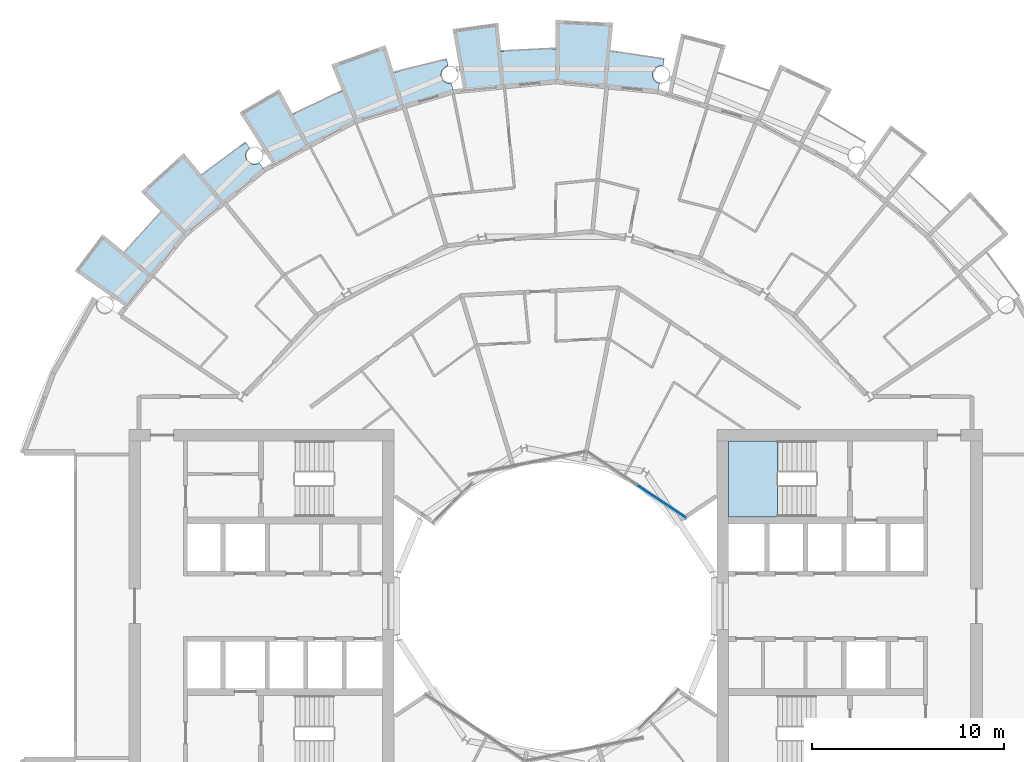
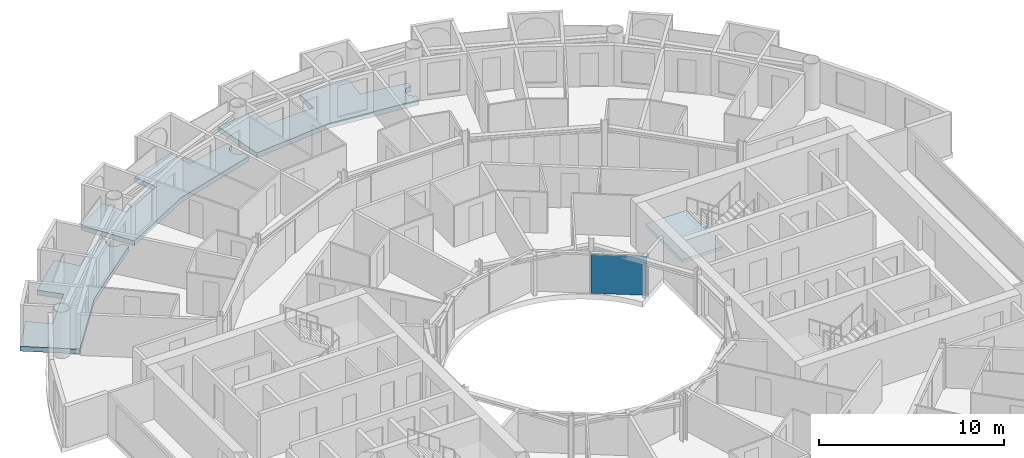
# One storey, part 12 of 26: 4 slabs, 1 plate, 2 elements without a shape of their own.
"""IFC4 building model written with IfcOpenShell, lengths in metres."""

from ifc_helpers import new_model, si_unit, direction, frame, origin, origin_2d, place, context, subcontext, project, spatial, polyline, rectangle, outline, extrude, material, layer, layer_set, type_object, element, aggregate, save


model = new_model("IFC4")

# Units and contexts
model_context = context("Model", 3, precision=1e-05, world=origin(), true_north=direction((0.0, 1.0)))
body_context = subcontext(model_context, "Body", "Model", "MODEL_VIEW")
ifc_project = project(units=[si_unit("LENGTHUNIT", "METRE"), si_unit("AREAUNIT", "SQUARE_METRE"), si_unit("VOLUMEUNIT", "CUBIC_METRE"), si_unit("PLANEANGLEUNIT", "RADIAN"), si_unit("MASSUNIT", "GRAM", prefix="KILO")], contexts=[model_context])

# Site, building, storey
site_placement = place(None, origin())
site = spatial("IfcSite", under=ifc_project, at=site_placement, CompositionType="ELEMENT")
building_placement = place(site_placement, origin())
building = spatial("IfcBuilding", under=site, at=building_placement, Name="Maasbend Ring Residences", CompositionType="ELEMENT")
storey_placement = place(building_placement, frame((0.0, 0.0, 123.85009765625)))
storey = spatial("IfcBuildingStorey", under=building, at=storey_placement, Name="L35", CompositionType="ELEMENT", Elevation=123.85009765625)

# Stair, slab
ifc_material_1 = material(Name="Concrete C40/50", Category="concrete")
stair_type = type_object("IfcStairType", Name="CORE STAIR 18 RISERS", PredefinedType="HALF_TURN_STAIR", material=ifc_material_1)
stair_placement = place(storey_placement, origin())
stair = element("IfcStair", 1, at=stair_placement, inside=storey, type_object=stair_type, Name="L35 Exit stair ST-E1", PredefinedType="HALF_TURN_STAIR")
ifc_material_2 = material(Name="Concrete C40/50", Category="concrete")
ifc_layer_1 = layer(ifc_material_2, 0.199951171875)
ifc_layer_set_1 = layer_set([ifc_layer_1], Name="Concrete C40/50")
slab_type_1 = type_object("IfcSlabType", Name="CORE STAIR LANDING 200", PredefinedType="LANDING", material=ifc_layer_set_1)
slab_1_placement = place(storey_placement, frame((0.0, 0.0, 1.324951171875)))
slab_1 = element("IfcSlab", 2, at=slab_1_placement, type_object=slab_type_1, Name="ST-E1 landing 1", PredefinedType="LANDING", context=body_context, shape_type="SweptSolid", body=[
    extrude(outline(polyline([(11.550048828125, 8.60009765625), (9.0, 8.60009765625), (9.0, 4.64990234375), (11.550048828125, 4.64990234375), (11.550048828125, 8.60009765625)])), origin(), (0.0, 0.0, 1.0), 0.199951171875),
])
aggregate(stair, [slab_1])

# Curtain wall, plate
ifc_material_3 = material(Name="Aluminium and clear glass", Category="aluminium")
ifc_layer_2 = layer(ifc_material_3, 0.179931640625)
ifc_layer_set_2 = layer_set([ifc_layer_2], Name="CW-W")
curtain_wall_type = type_object("IfcCurtainWallType", Name="CW-W", PredefinedType="NOTDEFINED", material=ifc_layer_set_2)
curtain_wall_placement = place(storey_placement, origin())
curtain_wall = element("IfcCurtainWall", 3, at=curtain_wall_placement, inside=storey, type_object=curtain_wall_type, Name="Well curtain wall N1", PredefinedType="NOTDEFINED")
ifc_material_4 = material(Name="Glass clear laminated", Category="glass")
ifc_layer_3 = layer(ifc_material_4, 0.031982421875)
ifc_layer_set_3 = layer_set([ifc_layer_3], Name="CWP-W")
plate_type = type_object("IfcPlateType", Name="CWP-W", PredefinedType="CURTAIN_PANEL", material=ifc_layer_set_3)
plate_placement = place(storey_placement, frame((5.51123046875, 5.44580078125, -0.000244140625), z_axis=(0.0, 0.0, 1.0), x_axis=(-0.831469612303, 0.55557023302, 0.0)))
plate = element("IfcPlate", 4, at=plate_placement, type_object=plate_type, Name="Glass panel well face", PredefinedType="CURTAIN_PANEL", context=body_context, shape_type="SweptSolid", body=[
    extrude(rectangle(XDim=3.053955078125, YDim=0.031982421875, at=origin_2d()), origin(), (0.0, 0.0, 1.0), 2.580078125),
])
aggregate(curtain_wall, [plate])

# Slabs
ifc_material_5 = material(Name="Concrete C40/50", Category="concrete")
ifc_layer_4 = layer(ifc_material_5, 0.199951171875)
ifc_layer_set_4 = layer_set([ifc_layer_4], Name="Concrete C40/50")
slab_type_2 = type_object("IfcSlabType", Name="SL-LOGGIA", PredefinedType="FLOOR", material=ifc_layer_set_4)
slab_2_placement = place(storey_placement, frame((0.0, 0.0, -0.35009765625)))
element("IfcSlab", 5, at=slab_2_placement, inside=storey, type_object=slab_type_2, Name="Loggia floor 2", PredefinedType="FLOOR", context=body_context, shape_type="SweptSolid", body=[
    extrude(outline(polyline([(-13.6708984375, 25.575927734375), (-13.6708984375, 25.575927734375), (-13.6708984375, 25.575927734375), (-13.6708984375, 25.575927734375), (-13.6708984375, 25.575927734375), (-13.6708984375, 25.575927734375), (-13.6708984375, 25.575927734375), (-13.669921875, 25.575927734375), (-13.669921875, 25.575927734375), (-13.669921875, 25.575927734375), (-13.669921875, 25.575927734375), (-13.669921875, 25.575927734375), (-13.669921875, 25.575927734375), (-13.669921875, 25.575927734375), (-13.669921875, 25.575927734375), (-13.669921875, 25.575927734375), (-13.669921875, 25.575927734375), (-12.825927734375, 26.009033203125), (-12.825927734375, 26.009033203125), (-11.968994140625, 26.4150390625), (-11.968994140625, 26.4150390625), (-11.097900390625, 26.7919921875), (-11.097900390625, 26.7919921875), (-11.097900390625, 26.7919921875), (-11.097900390625, 26.7919921875), (-11.097900390625, 26.7919921875), (-11.097900390625, 26.7919921875), (-11.097900390625, 26.7919921875), (-11.097900390625, 26.79296875), (-11.097900390625, 26.79296875), (-11.097900390625, 26.79296875), (-11.097900390625, 26.79296875), (-11.097900390625, 26.79296875), (-11.097900390625, 26.79296875), (-11.097900390625, 26.79296875), (-11.097900390625, 26.79296875), (-11.097900390625, 26.79296875), (-11.097900390625, 26.79296875), (-11.672119140625, 28.177978515625), (-11.672119140625, 28.177978515625), (-11.672119140625, 28.177978515625), (-8.85400390625, 29.18701171875), (-8.85400390625, 29.18701171875), (-8.85400390625, 29.18701171875), (-8.41796875, 27.751953125), (-8.41796875, 27.751953125), (-8.41796875, 27.751953125), (-8.41796875, 27.751953125), (-8.41796875, 27.751953125), (-8.41796875, 27.751953125), (-8.41796875, 27.751953125), (-8.41796875, 27.7509765625), (-8.41796875, 27.7509765625), (-8.41796875, 27.7509765625), (-8.41796875, 27.7509765625), (-8.41796875, 27.7509765625), (-8.41796875, 27.7509765625), (-8.41796875, 27.7509765625), (-8.41796875, 27.7509765625), (-8.41796875, 27.7509765625), (-8.41796875, 27.7509765625), (-7.506103515625, 28.011962890625), (-7.506103515625, 28.011962890625), (-6.5849609375, 28.241943359375), (-6.5849609375, 28.241943359375), (-5.657958984375, 28.443115234375), (-5.657958984375, 28.443115234375), (-5.657958984375, 28.443115234375), (-5.591064453125, 28.10595703125), (-5.60205078125, 28.10400390625), (-5.613037109375, 28.10107421875), (-5.623046875, 28.09912109375), (-5.634033203125, 28.094970703125), (-5.64501953125, 28.092041015625), (-5.655029296875, 28.087890625), (-5.666015625, 28.083984375), (-5.676025390625, 28.080078125), (-5.68701171875, 28.075927734375), (-5.697021484375, 28.071044921875), (-5.70703125, 28.06591796875), (-5.717041015625, 28.06103515625), (-5.72705078125, 28.055908203125), (-5.736083984375, 28.050048828125), (-5.74609375, 28.0439453125), (-5.7548828125, 28.0380859375), (-5.764892578125, 28.031982421875), (-5.77392578125, 28.02490234375), (-5.782958984375, 28.01806640625), (-5.791015625, 28.010986328125), (-5.800048828125, 28.00390625), (-5.80810546875, 27.9970703125), (-5.81689453125, 27.989013671875), (-5.824951171875, 27.98095703125), (-5.83203125, 27.972900390625), (-5.840087890625, 27.965087890625), (-5.847900390625, 27.95703125), (-5.85498046875, 27.947998046875), (-5.862060546875, 27.93896484375), (-5.868896484375, 27.929931640625), (-5.875, 27.9208984375), (-5.881103515625, 27.912109375), (-5.887939453125, 27.903076171875), (-5.89306640625, 27.89306640625), (-5.89892578125, 27.883056640625), (-5.905029296875, 27.8740234375), (-5.909912109375, 27.864013671875), (-5.9150390625, 27.85302734375), (-5.9189453125, 27.843017578125), (-5.924072265625, 27.8330078125), (-5.927978515625, 27.822998046875), (-5.931884765625, 27.81201171875), (-5.93505859375, 27.801025390625), (-5.93896484375, 27.791015625), (-5.94189453125, 27.780029296875), (-5.945068359375, 27.76904296875), (-5.947021484375, 27.758056640625), (-5.949951171875, 27.7470703125), (-5.951904296875, 27.736083984375), (-5.9541015625, 27.72509765625), (-5.955078125, 27.714111328125), (-5.9560546875, 27.702880859375), (-5.95703125, 27.69189453125), (-5.9580078125, 27.680908203125), (-5.9580078125, 27.6689453125), (-5.9580078125, 27.657958984375), (-5.9580078125, 27.64697265625), (-5.9580078125, 27.635986328125), (-5.95703125, 27.6240234375), (-5.9560546875, 27.613037109375), (-5.955078125, 27.60205078125), (-5.9541015625, 27.591064453125), (-5.951904296875, 27.580078125), (-5.949951171875, 27.569091796875), (-5.947021484375, 27.55810546875), (-5.945068359375, 27.547119140625), (-5.94189453125, 27.535888671875), (-5.93896484375, 27.52490234375), (-5.93505859375, 27.514892578125), (-5.931884765625, 27.50390625), (-5.927978515625, 27.493896484375), (-5.924072265625, 27.48291015625), (-5.9189453125, 27.472900390625), (-5.9150390625, 27.462890625), (-5.909912109375, 27.452880859375), (-5.905029296875, 27.443115234375), (-5.89892578125, 27.43310546875), (-5.89306640625, 27.423095703125), (-5.887939453125, 27.4140625), (-5.881103515625, 27.404052734375), (-5.875, 27.39501953125), (-5.868896484375, 27.385986328125), (-5.862060546875, 27.376953125), (-5.85498046875, 27.367919921875), (-5.847900390625, 27.360107421875), (-5.840087890625, 27.35107421875), (-5.83203125, 27.343017578125), (-5.824951171875, 27.3349609375), (-5.81689453125, 27.326904296875), (-5.80810546875, 27.319091796875), (-5.800048828125, 27.31201171875), (-5.791015625, 27.304931640625), (-5.782958984375, 27.298095703125), (-5.77392578125, 27.291015625), (-5.764892578125, 27.283935546875), (-5.7548828125, 27.278076171875), (-5.74609375, 27.27197265625), (-5.736083984375, 27.26611328125), (-5.72705078125, 27.260009765625), (-5.717041015625, 27.2548828125), (-5.70703125, 27.25), (-5.697021484375, 27.2451171875), (-5.68701171875, 27.239990234375), (-5.676025390625, 27.236083984375), (-5.666015625, 27.23193359375), (-5.655029296875, 27.22802734375), (-5.64501953125, 27.22412109375), (-5.634033203125, 27.220947265625), (-5.623046875, 27.218017578125), (-5.613037109375, 27.215087890625), (-5.60205078125, 27.2119140625), (-5.591064453125, 27.2099609375), (-5.580078125, 27.2080078125), (-5.569091796875, 27.2060546875), (-5.556884765625, 27.205078125), (-5.5458984375, 27.202880859375), (-5.534912109375, 27.201904296875), (-5.52392578125, 27.201904296875), (-5.512939453125, 27.200927734375), (-5.501953125, 27.200927734375), (-5.489990234375, 27.200927734375), (-5.47900390625, 27.201904296875), (-5.468017578125, 27.201904296875), (-5.45703125, 27.202880859375), (-5.446044921875, 27.205078125), (-5.43408203125, 27.2060546875), (-5.423095703125, 27.2080078125), (-5.412109375, 27.2099609375), (-5.325927734375, 26.77490234375), (-5.325927734375, 26.77490234375), (-5.325927734375, 26.77490234375), (-7.886962890625, 25.9990234375), (-10.447021484375, 25.221923828125), (-10.447021484375, 25.221923828125), (-10.447021484375, 25.221923828125), (-12.806884765625, 23.9609375), (-14.68994140625, 22.9541015625), (-14.68994140625, 22.9541015625), (-14.68994140625, 22.9541015625), (-16.44091796875, 25.68994140625), (-16.44091796875, 25.68994140625), (-16.44091796875, 25.68994140625), (-14.3779296875, 26.89892578125), (-14.3779296875, 26.89892578125), (-14.3779296875, 26.89892578125), (-13.6708984375, 25.575927734375)])), origin(), (0.0, 0.0, 1.0), 0.320068359375),
])
slab_3_placement = place(storey_placement, frame((0.0, 0.0, -0.35009765625)))
element("IfcSlab", 6, at=slab_3_placement, inside=storey, type_object=slab_type_2, Name="Loggia floor 3", PredefinedType="FLOOR", context=body_context, shape_type="SweptSolid", body=[
    extrude(outline(polyline([(-2.843017578125, 28.861083984375), (-2.843017578125, 28.861083984375), (-2.843017578125, 28.861083984375), (-2.843017578125, 28.861083984375), (-2.842041015625, 28.861083984375), (-2.842041015625, 28.861083984375), (-2.842041015625, 28.861083984375), (-2.842041015625, 28.861083984375), (-2.842041015625, 28.861083984375), (-2.842041015625, 28.860107421875), (-2.842041015625, 28.860107421875), (-2.842041015625, 28.860107421875), (-2.842041015625, 28.860107421875), (-2.842041015625, 28.860107421875), (-2.842041015625, 28.860107421875), (-2.842041015625, 28.860107421875), (-2.842041015625, 28.860107421875), (-1.89697265625, 28.93798828125), (-1.89697265625, 28.93798828125), (-0.948974609375, 28.98388671875), (-0.948974609375, 28.98388671875), (0.0, 29.0), (0.0, 29.0), (0.0, 29.0), (0.0, 29.0), (0.0, 29.0), (0.0, 29.0), (0.0, 29.0), (0.0, 29.0), (0.0, 29.0), (0.0, 29.0), (0.0, 29.0), (0.0, 29.0), (0.0, 29.0), (0.0, 29.0), (0.0, 29.0), (0.0, 29.0), (0.0, 29.0), (0.0, 30.5), (0.0, 30.5), (0.0, 30.5), (2.989990234375, 30.35302734375), (2.989990234375, 30.35302734375), (2.989990234375, 30.35302734375), (2.843017578125, 28.861083984375), (2.843017578125, 28.861083984375), (2.843017578125, 28.861083984375), (2.843017578125, 28.861083984375), (2.843017578125, 28.861083984375), (2.843017578125, 28.861083984375), (2.843017578125, 28.861083984375), (2.843017578125, 28.861083984375), (2.843017578125, 28.860107421875), (2.843017578125, 28.860107421875), (2.843017578125, 28.860107421875), (2.843017578125, 28.860107421875), (2.843017578125, 28.860107421875), (2.843017578125, 28.860107421875), (2.843017578125, 28.860107421875), (2.843017578125, 28.860107421875), (2.843017578125, 28.860107421875), (3.784912109375, 28.751953125), (3.784912109375, 28.751953125), (4.72412109375, 28.613037109375), (4.72412109375, 28.613037109375), (5.657958984375, 28.443115234375), (5.657958984375, 28.443115234375), (5.657958984375, 28.443115234375), (5.591064453125, 28.10595703125), (5.591064453125, 28.10595703125), (5.580078125, 28.10791015625), (5.569091796875, 28.110107421875), (5.556884765625, 28.112060546875), (5.5458984375, 28.113037109375), (5.534912109375, 28.114013671875), (5.52392578125, 28.114990234375), (5.512939453125, 28.114990234375), (5.501953125, 28.114990234375), (5.489990234375, 28.114990234375), (5.47900390625, 28.114990234375), (5.468017578125, 28.114013671875), (5.45703125, 28.113037109375), (5.446044921875, 28.112060546875), (5.43408203125, 28.110107421875), (5.423095703125, 28.10791015625), (5.412109375, 28.10595703125), (5.40087890625, 28.10400390625), (5.389892578125, 28.10107421875), (5.3798828125, 28.09912109375), (5.368896484375, 28.094970703125), (5.35791015625, 28.092041015625), (5.347900390625, 28.087890625), (5.3369140625, 28.083984375), (5.326904296875, 28.080078125), (5.31591796875, 28.075927734375), (5.305908203125, 28.071044921875), (5.2958984375, 28.06591796875), (5.285888671875, 28.06103515625), (5.27587890625, 28.055908203125), (5.26708984375, 28.050048828125), (5.257080078125, 28.0439453125), (5.248046875, 28.0380859375), (5.238037109375, 28.031982421875), (5.22900390625, 28.02490234375), (5.219970703125, 28.01806640625), (5.2119140625, 28.010986328125), (5.202880859375, 28.00390625), (5.195068359375, 27.9970703125), (5.18603515625, 27.989013671875), (5.177978515625, 27.98095703125), (5.1708984375, 27.972900390625), (5.1630859375, 27.965087890625), (5.155029296875, 27.95703125), (5.14794921875, 27.947998046875), (5.14111328125, 27.93896484375), (5.134033203125, 27.929931640625), (5.1279296875, 27.9208984375), (5.1220703125, 27.912109375), (5.114990234375, 27.903076171875), (5.110107421875, 27.89306640625), (5.10400390625, 27.883056640625), (5.097900390625, 27.8740234375), (5.093017578125, 27.864013671875), (5.087890625, 27.85302734375), (5.083984375, 27.843017578125), (5.0791015625, 27.8330078125), (5.074951171875, 27.822998046875), (5.071044921875, 27.81201171875), (5.068115234375, 27.801025390625), (5.06396484375, 27.791015625), (5.06103515625, 27.780029296875), (5.05810546875, 27.76904296875), (5.055908203125, 27.758056640625), (5.052978515625, 27.7470703125), (5.051025390625, 27.736083984375), (5.049072265625, 27.72509765625), (5.048095703125, 27.714111328125), (5.047119140625, 27.702880859375), (5.0458984375, 27.69189453125), (5.044921875, 27.680908203125), (5.044921875, 27.6689453125), (5.044921875, 27.657958984375), (5.044921875, 27.64697265625), (5.044921875, 27.635986328125), (5.0458984375, 27.6240234375), (5.047119140625, 27.613037109375), (5.048095703125, 27.60205078125), (5.049072265625, 27.591064453125), (5.051025390625, 27.580078125), (5.052978515625, 27.569091796875), (5.055908203125, 27.55810546875), (5.05810546875, 27.547119140625), (5.06103515625, 27.535888671875), (5.06396484375, 27.52490234375), (5.068115234375, 27.514892578125), (5.071044921875, 27.50390625), (5.074951171875, 27.493896484375), (5.0791015625, 27.48291015625), (5.083984375, 27.472900390625), (5.087890625, 27.462890625), (5.093017578125, 27.452880859375), (5.097900390625, 27.443115234375), (5.10400390625, 27.43310546875), (5.110107421875, 27.423095703125), (5.114990234375, 27.4140625), (5.1220703125, 27.404052734375), (5.1279296875, 27.39501953125), (5.134033203125, 27.385986328125), (5.14111328125, 27.376953125), (5.14794921875, 27.367919921875), (5.155029296875, 27.360107421875), (5.1630859375, 27.35107421875), (5.1708984375, 27.343017578125), (5.177978515625, 27.3349609375), (5.18603515625, 27.326904296875), (5.195068359375, 27.319091796875), (5.202880859375, 27.31201171875), (5.2119140625, 27.304931640625), (5.219970703125, 27.298095703125), (5.22900390625, 27.291015625), (5.238037109375, 27.283935546875), (5.248046875, 27.278076171875), (5.257080078125, 27.27197265625), (5.26708984375, 27.26611328125), (5.27587890625, 27.260009765625), (5.285888671875, 27.2548828125), (5.2958984375, 27.25), (5.305908203125, 27.2451171875), (5.31591796875, 27.239990234375), (5.326904296875, 27.236083984375), (5.3369140625, 27.23193359375), (5.347900390625, 27.22802734375), (5.35791015625, 27.22412109375), (5.368896484375, 27.220947265625), (5.3798828125, 27.218017578125), (5.389892578125, 27.215087890625), (5.40087890625, 27.2119140625), (5.412109375, 27.2099609375), (5.412109375, 27.2099609375), (5.325927734375, 26.77490234375), (5.325927734375, 26.77490234375), (5.325927734375, 26.77490234375), (2.6630859375, 27.0380859375), (0.0, 27.300048828125), (0.0, 27.300048828125), (0.0, 27.300048828125), (-2.6630859375, 27.0380859375), (-4.7880859375, 26.827880859375), (-4.7880859375, 26.827880859375), (-4.7880859375, 26.827880859375), (-5.35791015625, 30.02587890625), (-5.35791015625, 30.02587890625), (-5.35791015625, 30.02587890625), (-2.989990234375, 30.35302734375), (-2.989990234375, 30.35302734375), (-2.989990234375, 30.35302734375), (-2.843017578125, 28.861083984375)])), origin(), (0.0, 0.0, 1.0), 0.320068359375),
])
slab_4_placement = place(storey_placement, frame((0.0, 0.0, -0.35009765625)))
element("IfcSlab", 7, at=slab_4_placement, inside=storey, type_object=slab_type_2, Name="Loggia floor 5", PredefinedType="FLOOR", context=body_context, shape_type="SweptSolid", body=[
    extrude(outline(polyline([(-22.41796875, 18.39794921875), (-22.41796875, 18.39794921875), (-22.41796875, 18.39794921875), (-22.41796875, 18.39794921875), (-22.41796875, 18.39794921875), (-22.4169921875, 18.39794921875), (-22.4169921875, 18.39794921875), (-22.4169921875, 18.39794921875), (-22.4169921875, 18.39794921875), (-22.4169921875, 18.39794921875), (-22.4169921875, 18.39794921875), (-22.4169921875, 18.39794921875), (-22.4169921875, 18.39794921875), (-22.4169921875, 18.39794921875), (-22.4169921875, 18.39794921875), (-22.4169921875, 18.39794921875), (-22.4169921875, 18.39794921875), (-21.802978515625, 19.12109375), (-21.802978515625, 19.12109375), (-21.166015625, 19.823974609375), (-21.166015625, 19.823974609375), (-20.506103515625, 20.506103515625), (-20.506103515625, 20.506103515625), (-20.506103515625, 20.506103515625), (-20.506103515625, 20.506103515625), (-20.506103515625, 20.506103515625), (-20.506103515625, 20.506103515625), (-20.506103515625, 20.506103515625), (-20.506103515625, 20.506103515625), (-20.506103515625, 20.506103515625), (-20.506103515625, 20.506103515625), (-20.506103515625, 20.506103515625), (-20.506103515625, 20.506103515625), (-20.506103515625, 20.506103515625), (-20.506103515625, 20.506103515625), (-20.506103515625, 20.506103515625), (-20.506103515625, 20.506103515625), (-20.506103515625, 20.506103515625), (-21.56689453125, 21.56689453125), (-21.56689453125, 21.56689453125), (-21.56689453125, 21.56689453125), (-19.34912109375, 23.576904296875), (-19.34912109375, 23.576904296875), (-19.34912109375, 23.576904296875), (-18.39794921875, 22.41796875), (-18.39794921875, 22.41796875), (-18.39794921875, 22.41796875), (-18.39794921875, 22.41796875), (-18.39794921875, 22.41796875), (-18.39794921875, 22.41796875), (-18.39697265625, 22.41796875), (-18.39697265625, 22.41796875), (-18.39697265625, 22.41796875), (-18.39697265625, 22.41796875), (-18.39697265625, 22.41796875), (-18.39697265625, 22.41796875), (-18.39697265625, 22.41796875), (-18.39697265625, 22.41796875), (-18.39697265625, 22.41796875), (-18.39697265625, 22.41796875), (-18.39697265625, 22.41796875), (-17.654052734375, 23.007080078125), (-17.654052734375, 23.007080078125), (-16.89208984375, 23.572998046875), (-16.89208984375, 23.572998046875), (-16.112060546875, 24.113037109375), (-16.112060546875, 24.113037109375), (-16.112060546875, 24.113037109375), (-15.9208984375, 23.826904296875), (-15.9208984375, 23.826904296875), (-15.929931640625, 23.821044921875), (-15.93896484375, 23.81396484375), (-15.947998046875, 23.80810546875), (-15.95703125, 23.801025390625), (-15.966064453125, 23.79296875), (-15.97412109375, 23.785888671875), (-15.98193359375, 23.778076171875), (-15.989990234375, 23.77099609375), (-15.998046875, 23.762939453125), (-16.006103515625, 23.75390625), (-16.012939453125, 23.74609375), (-16.02001953125, 23.737060546875), (-16.027099609375, 23.72900390625), (-16.033935546875, 23.719970703125), (-16.041015625, 23.7109375), (-16.047119140625, 23.700927734375), (-16.052978515625, 23.69189453125), (-16.05908203125, 23.681884765625), (-16.06494140625, 23.673095703125), (-16.070068359375, 23.6630859375), (-16.074951171875, 23.653076171875), (-16.080078125, 23.64306640625), (-16.0849609375, 23.633056640625), (-16.089111328125, 23.6220703125), (-16.093017578125, 23.612060546875), (-16.096923828125, 23.60107421875), (-16.10107421875, 23.591064453125), (-16.10400390625, 23.580078125), (-16.10791015625, 23.569091796875), (-16.110107421875, 23.55810546875), (-16.113037109375, 23.548095703125), (-16.114990234375, 23.537109375), (-16.116943359375, 23.52587890625), (-16.118896484375, 23.513916015625), (-16.12109375, 23.5029296875), (-16.1220703125, 23.491943359375), (-16.123046875, 23.48095703125), (-16.1240234375, 23.469970703125), (-16.1240234375, 23.458984375), (-16.1240234375, 23.447021484375), (-16.1240234375, 23.43603515625), (-16.1240234375, 23.425048828125), (-16.123046875, 23.4140625), (-16.1220703125, 23.403076171875), (-16.12109375, 23.39111328125), (-16.118896484375, 23.3798828125), (-16.116943359375, 23.368896484375), (-16.114990234375, 23.35791015625), (-16.113037109375, 23.346923828125), (-16.110107421875, 23.3359375), (-16.10791015625, 23.325927734375), (-16.10400390625, 23.31494140625), (-16.10107421875, 23.303955078125), (-16.096923828125, 23.29296875), (-16.093017578125, 23.282958984375), (-16.089111328125, 23.27294921875), (-16.0849609375, 23.261962890625), (-16.080078125, 23.251953125), (-16.074951171875, 23.241943359375), (-16.070068359375, 23.23193359375), (-16.06494140625, 23.221923828125), (-16.05908203125, 23.2119140625), (-16.052978515625, 23.202880859375), (-16.047119140625, 23.194091796875), (-16.041015625, 23.18408203125), (-16.033935546875, 23.175048828125), (-16.027099609375, 23.166015625), (-16.02001953125, 23.156982421875), (-16.012939453125, 23.14892578125), (-16.006103515625, 23.139892578125), (-15.998046875, 23.132080078125), (-15.989990234375, 23.1240234375), (-15.98193359375, 23.115966796875), (-15.97412109375, 23.10888671875), (-15.966064453125, 23.10107421875), (-15.95703125, 23.093994140625), (-15.947998046875, 23.0869140625), (-15.93896484375, 23.080078125), (-15.929931640625, 23.073974609375), (-15.9208984375, 23.06689453125), (-15.912109375, 23.06103515625), (-15.902099609375, 23.054931640625), (-15.89208984375, 23.050048828125), (-15.883056640625, 23.0439453125), (-15.873046875, 23.0390625), (-15.862060546875, 23.033935546875), (-15.85205078125, 23.030029296875), (-15.842041015625, 23.02490234375), (-15.83203125, 23.02099609375), (-15.821044921875, 23.01708984375), (-15.81005859375, 23.012939453125), (-15.800048828125, 23.010009765625), (-15.7890625, 23.007080078125), (-15.778076171875, 23.00390625), (-15.76708984375, 23.001953125), (-15.756103515625, 22.9990234375), (-15.7451171875, 22.9970703125), (-15.73388671875, 22.9951171875), (-15.722900390625, 22.993896484375), (-15.7119140625, 22.992919921875), (-15.700927734375, 22.991943359375), (-15.68994140625, 22.990966796875), (-15.677978515625, 22.990966796875), (-15.6669921875, 22.989990234375), (-15.656005859375, 22.990966796875), (-15.64501953125, 22.990966796875), (-15.633056640625, 22.991943359375), (-15.6220703125, 22.992919921875), (-15.611083984375, 22.993896484375), (-15.60009765625, 22.9951171875), (-15.589111328125, 22.9970703125), (-15.577880859375, 22.9990234375), (-15.56689453125, 23.001953125), (-15.555908203125, 23.00390625), (-15.544921875, 23.007080078125), (-15.533935546875, 23.010009765625), (-15.52392578125, 23.012939453125), (-15.512939453125, 23.01708984375), (-15.5029296875, 23.02099609375), (-15.491943359375, 23.02490234375), (-15.48193359375, 23.030029296875), (-15.471923828125, 23.033935546875), (-15.4619140625, 23.0390625), (-15.451904296875, 23.0439453125), (-15.44189453125, 23.050048828125), (-15.431884765625, 23.054931640625), (-15.423095703125, 23.06103515625), (-15.4130859375, 23.06689453125), (-15.4130859375, 23.06689453125), (-15.1669921875, 22.698974609375), (-15.1669921875, 22.698974609375), (-15.1669921875, 22.698974609375), (-17.236083984375, 21.001953125), (-19.303955078125, 19.303955078125), (-19.303955078125, 19.303955078125), (-19.303955078125, 19.303955078125), (-21.001953125, 17.236083984375), (-22.35595703125, 15.5849609375), (-22.35595703125, 15.5849609375), (-22.35595703125, 15.5849609375), (-25.02001953125, 17.44189453125), (-25.02001953125, 17.44189453125), (-25.02001953125, 17.44189453125), (-23.576904296875, 19.34912109375), (-23.576904296875, 19.34912109375), (-23.576904296875, 19.34912109375), (-22.41796875, 18.39794921875)])), origin(), (0.0, 0.0, 1.0), 0.320068359375),
])

save(model, "model.ifc")
